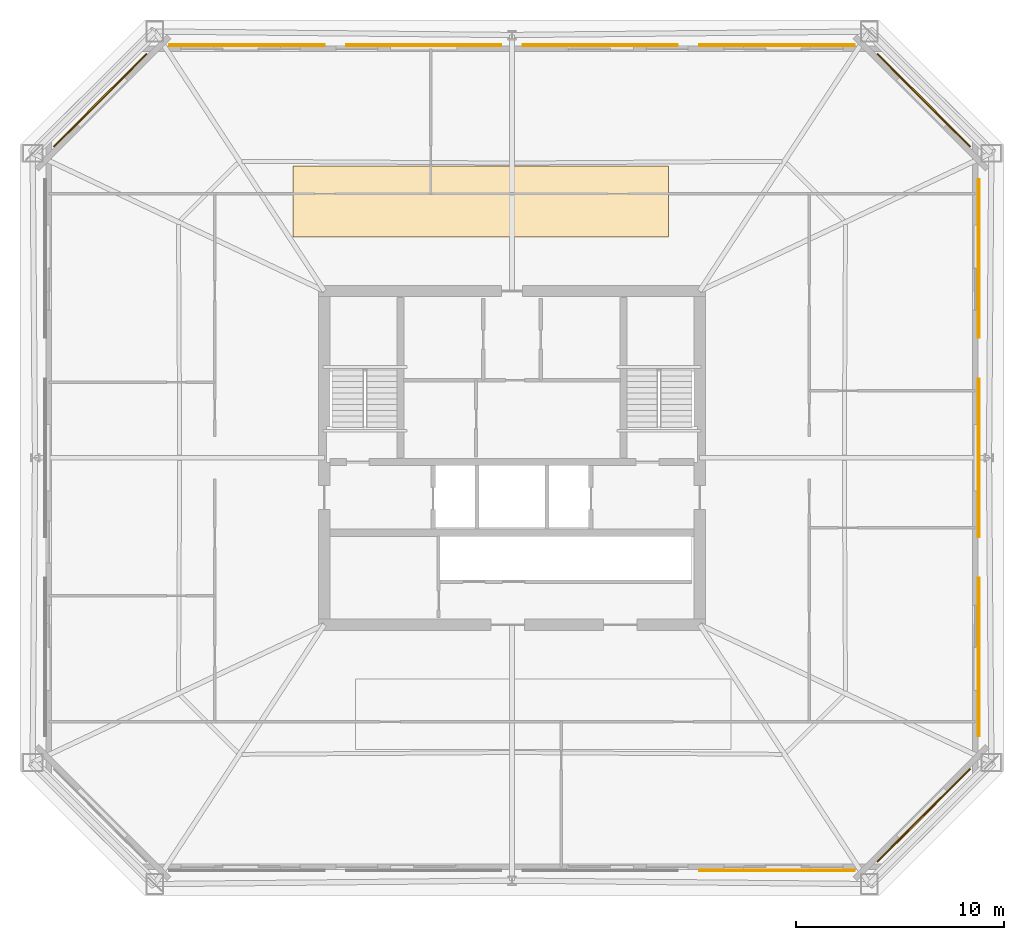
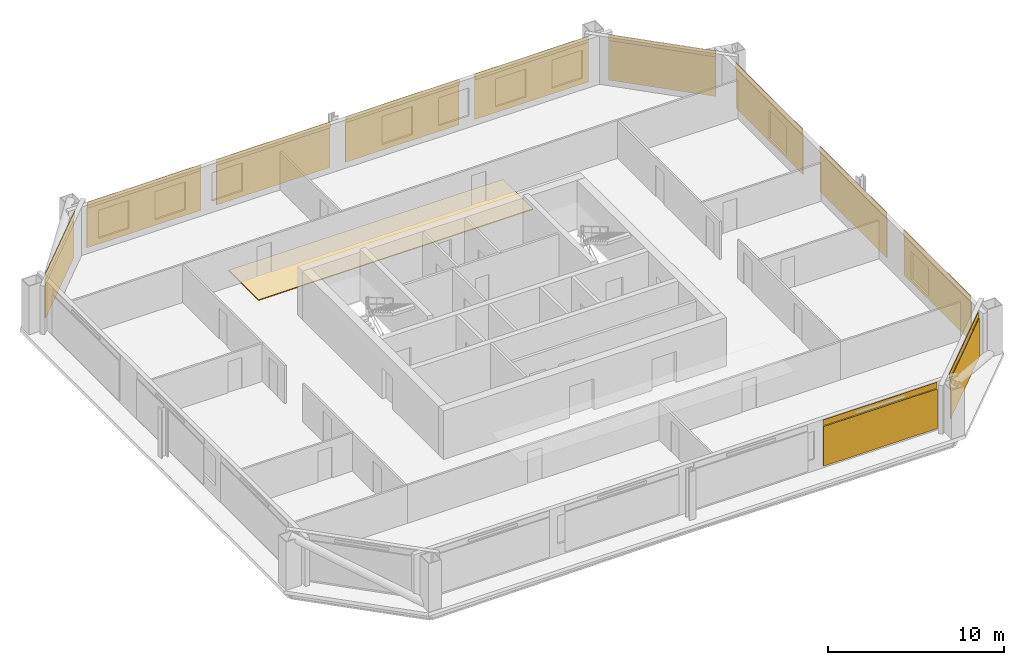
# One storey, part 6 of 6: 12 coverings, 11 shading devices.
"""IFC4 building model written with IfcOpenShell, lengths in metres."""

from ifc_helpers import new_model, si_unit, direction, frame, origin, origin_2d, place, context, subcontext, project, spatial, polyline, rectangle, outline, extrude, material, layer, layer_set, type_object, element, save


model = new_model("IFC4")

# Units and contexts
model_context = context("Model", 3, precision=1e-05, world=origin(), true_north=direction((0.0, 1.0)))
body_context = subcontext(model_context, "Body", "Model", "MODEL_VIEW")
ifc_project = project(units=[si_unit("LENGTHUNIT", "METRE"), si_unit("AREAUNIT", "SQUARE_METRE"), si_unit("VOLUMEUNIT", "CUBIC_METRE"), si_unit("PLANEANGLEUNIT", "RADIAN"), si_unit("MASSUNIT", "GRAM", prefix="KILO")], contexts=[model_context])

# Site, building, storey
site_placement = place(None, origin())
site = spatial("IfcSite", under=ifc_project, at=site_placement, CompositionType="ELEMENT")
building_placement = place(site_placement, origin())
building = spatial("IfcBuilding", under=site, at=building_placement, Name="Caelvoria Tower", CompositionType="ELEMENT")
storey_placement = place(building_placement, frame((0.0, 0.0, 120.39990234375)))
storey = spatial("IfcBuildingStorey", under=building, at=storey_placement, Name="L31", CompositionType="ELEMENT", Elevation=120.39990234375)

# Coverings
ifc_material_1 = material(Name="Perforated Architectural Bronze Cladding Screen", Category="bronze")
ifc_layer_1 = layer(ifc_material_1, 0.0400390625, Name="Perforated Architectural Bronze Cladding Screen")
ifc_layer_set_1 = layer_set([ifc_layer_1], Name="Perforated Bronze Louvre Cladding Band 40 - Perforated Architectural Bronze Cladding Screen")
covering_type_1 = type_object("IfcCoveringType", Name="Perforated Bronze Louvre Cladding Band 40", PredefinedType="CLADDING", material=ifc_layer_set_1)
covering_1_placement = place(storey_placement, frame((58.705078125, 12.22802734375, 2.940185546875), z_axis=(0.0, 0.0, 1.0), x_axis=(1.0, 0.0, 0.0)))
element("IfcCovering", 1, at=covering_1_placement, inside=storey, type_object=covering_type_1, Name="Perforated Bronze Screen Band L31-E0-03", PredefinedType="CLADDING", context=body_context, shape_type="SweptSolid", body=[
    extrude(rectangle(XDim=7.45361328125, YDim=0.0400390625, at=origin_2d()), origin(), (0.0, 0.0, 1.0), 0.39990234375),
])
covering_2_placement = place(storey_placement, frame((65.731689453125, 14.868408203125, 2.940185546875), z_axis=(0.0, 0.0, 1.0), x_axis=(0.707106781187, 0.707106781187, 0.0)))
element("IfcCovering", 2, at=covering_2_placement, inside=storey, type_object=covering_type_1, Name="Perforated Bronze Screen Band L31-E1-00", PredefinedType="CLADDING", context=body_context, shape_type="SweptSolid", body=[
    extrude(rectangle(XDim=6.305419921875, YDim=0.0400390625, at=origin_2d()), origin(), (0.0, 0.0, 1.0), 0.39990234375),
])
for number, where, z_axis, x_axis, name in (
    (3, (68.3720703125, 22.43994140625, 2.940185546875), (0.0, 0.0, 1.0), (0.0, 1.0, 0.0), "Perforated Bronze Screen Band L31-E2-00"),
    (4, (68.3720703125, 32.0, 2.940185546875), (0.0, 0.0, 1.0), (0.0, 1.0, 0.0), "Perforated Bronze Screen Band L31-E2-01"),
    (5, (68.3720703125, 41.56005859375, 2.940185546875), (0.0, 0.0, 1.0), (0.0, 1.0, 0.0), "Perforated Bronze Screen Band L31-E2-02"),
):
    element("IfcCovering", number, at=place(storey_placement, frame(where, z_axis=z_axis, x_axis=x_axis)), inside=storey, type_object=covering_type_1, Name=name, PredefinedType="CLADDING", context=body_context, shape_type="SweptSolid", body=[
        extrude(rectangle(XDim=7.60009765625, YDim=0.0400390625, at=origin_2d()), origin(), (0.0, 0.0, 1.0), 0.39990234375),
    ])
covering_3_placement = place(storey_placement, frame((65.731689453125, 49.131591796875, 2.940185546875), z_axis=(0.0, 0.0, 1.0), x_axis=(-0.707106781187, 0.707106781187, 0.0)))
element("IfcCovering", 6, at=covering_3_placement, inside=storey, type_object=covering_type_1, Name="Perforated Bronze Screen Band L31-E3-00", PredefinedType="CLADDING", context=body_context, shape_type="SweptSolid", body=[
    extrude(rectangle(XDim=6.305419921875, YDim=0.0400390625, at=origin_2d()), origin(), (0.0, 0.0, 1.0), 0.39990234375),
])
for number, where, z_axis, x_axis, name in (
    (7, (58.705078125, 51.77197265625, 2.940185546875), (0.0, 0.0, 1.0), (-1.0, 0.0, 0.0), "Perforated Bronze Screen Band L31-E4-00"),
    (8, (50.235107421875, 51.77197265625, 2.940185546875), (0.0, 0.0, 1.0), (-1.0, 0.0, 0.0), "Perforated Bronze Screen Band L31-E4-01"),
    (9, (41.764892578125, 51.77197265625, 2.940185546875), (0.0, 0.0, 1.0), (-1.0, 0.0, 0.0), "Perforated Bronze Screen Band L31-E4-02"),
    (10, (33.294921875, 51.77197265625, 2.940185546875), (0.0, 0.0, 1.0), (-1.0, 0.0, 0.0), "Perforated Bronze Screen Band L31-E4-03"),
):
    element("IfcCovering", number, at=place(storey_placement, frame(where, z_axis=z_axis, x_axis=x_axis)), inside=storey, type_object=covering_type_1, Name=name, PredefinedType="CLADDING", context=body_context, shape_type="SweptSolid", body=[
        extrude(rectangle(XDim=7.45361328125, YDim=0.0400390625, at=origin_2d()), origin(), (0.0, 0.0, 1.0), 0.39990234375),
    ])
covering_4_placement = place(storey_placement, frame((26.268310546875, 49.131591796875, 2.940185546875), z_axis=(0.0, 0.0, 1.0), x_axis=(-0.707106781187, -0.707106781187, 0.0)))
element("IfcCovering", 11, at=covering_4_placement, inside=storey, type_object=covering_type_1, Name="Perforated Bronze Screen Band L31-E5-00", PredefinedType="CLADDING", context=body_context, shape_type="SweptSolid", body=[
    extrude(rectangle(XDim=6.305419921875, YDim=0.0400390625, at=origin_2d()), origin(), (0.0, 0.0, 1.0), 0.39990234375),
])

# Shading devices
ifc_material_2 = material(Name="Perforated Architectural Bronze Alloy Panel", Category="bronze")
ifc_layer_2 = layer(ifc_material_2, 0.044921875, Name="Perforated Architectural Bronze Alloy Panel")
ifc_layer_set_2 = layer_set([ifc_layer_2], Name="Perforated Bronze Solar Screen Panel SCREEN - Perforated Architectural Bronze Alloy Panel")
shading_device_type = type_object("IfcShadingDeviceType", Name="Perforated Bronze Solar Screen Panel SCREEN", PredefinedType="USERDEFINED", material=ifc_layer_set_2)
shading_device_1_placement = place(storey_placement, frame((58.705078125, 12.18505859375, 0.16015625), z_axis=(0.0, 0.0, 1.0), x_axis=(1.0, 0.0, 0.0)))
element("IfcShadingDevice", 12, at=shading_device_1_placement, inside=storey, type_object=shading_device_type, Name="Perforated Bronze Solar Screen L31-E0-03", ObjectType="SCREEN", PredefinedType="USERDEFINED", context=body_context, shape_type="SweptSolid", body=[
    extrude(rectangle(XDim=7.45361328125, YDim=0.044921875, at=origin_2d()), origin(), (0.0, 0.0, 1.0), 2.75),
])
shading_device_2_placement = place(storey_placement, frame((65.76220703125, 14.837890625, 0.16015625), z_axis=(0.0, 0.0, 1.0), x_axis=(0.707106781187, 0.707106781187, 0.0)))
element("IfcShadingDevice", 13, at=shading_device_2_placement, inside=storey, type_object=shading_device_type, Name="Perforated Bronze Solar Screen L31-E1-00", ObjectType="SCREEN", PredefinedType="USERDEFINED", context=body_context, shape_type="SweptSolid", body=[
    extrude(rectangle(XDim=6.305419921875, YDim=0.044921875, at=origin_2d()), origin(), (0.0, 0.0, 1.0), 2.75),
])
for number, where, z_axis, x_axis, name in (
    (14, (68.4150390625, 22.43994140625, 0.16015625), (0.0, 0.0, 1.0), (0.0, 1.0, 0.0), "Perforated Bronze Solar Screen L31-E2-00"),
    (15, (68.4150390625, 32.0, 0.16015625), (0.0, 0.0, 1.0), (0.0, 1.0, 0.0), "Perforated Bronze Solar Screen L31-E2-01"),
    (16, (68.4150390625, 41.56005859375, 0.16015625), (0.0, 0.0, 1.0), (0.0, 1.0, 0.0), "Perforated Bronze Solar Screen L31-E2-02"),
):
    element("IfcShadingDevice", number, at=place(storey_placement, frame(where, z_axis=z_axis, x_axis=x_axis)), inside=storey, type_object=shading_device_type, Name=name, ObjectType="SCREEN", PredefinedType="USERDEFINED", context=body_context, shape_type="SweptSolid", body=[
        extrude(rectangle(XDim=7.60009765625, YDim=0.044921875, at=origin_2d()), origin(), (0.0, 0.0, 1.0), 2.75),
    ])
shading_device_3_placement = place(storey_placement, frame((65.76220703125, 49.162109375, 0.16015625), z_axis=(0.0, 0.0, 1.0), x_axis=(-0.707106781187, 0.707106781187, 0.0)))
element("IfcShadingDevice", 17, at=shading_device_3_placement, inside=storey, type_object=shading_device_type, Name="Perforated Bronze Solar Screen L31-E3-00", ObjectType="SCREEN", PredefinedType="USERDEFINED", context=body_context, shape_type="SweptSolid", body=[
    extrude(rectangle(XDim=6.305419921875, YDim=0.044921875, at=origin_2d()), origin(), (0.0, 0.0, 1.0), 2.75),
])
for number, where, z_axis, x_axis, name in (
    (18, (58.705078125, 51.81494140625, 0.16015625), (0.0, 0.0, 1.0), (-1.0, 0.0, 0.0), "Perforated Bronze Solar Screen L31-E4-00"),
    (19, (50.235107421875, 51.81494140625, 0.16015625), (0.0, 0.0, 1.0), (-1.0, 0.0, 0.0), "Perforated Bronze Solar Screen L31-E4-01"),
    (20, (41.764892578125, 51.81494140625, 0.16015625), (0.0, 0.0, 1.0), (-1.0, 0.0, 0.0), "Perforated Bronze Solar Screen L31-E4-02"),
    (21, (33.294921875, 51.81494140625, 0.16015625), (0.0, 0.0, 1.0), (-1.0, 0.0, 0.0), "Perforated Bronze Solar Screen L31-E4-03"),
):
    element("IfcShadingDevice", number, at=place(storey_placement, frame(where, z_axis=z_axis, x_axis=x_axis)), inside=storey, type_object=shading_device_type, Name=name, ObjectType="SCREEN", PredefinedType="USERDEFINED", context=body_context, shape_type="SweptSolid", body=[
        extrude(rectangle(XDim=7.45361328125, YDim=0.044921875, at=origin_2d()), origin(), (0.0, 0.0, 1.0), 2.75),
    ])
shading_device_4_placement = place(storey_placement, frame((26.23779296875, 49.162109375, 0.16015625), z_axis=(0.0, 0.0, 1.0), x_axis=(-0.707106781187, -0.707106781187, 0.0)))
element("IfcShadingDevice", 22, at=shading_device_4_placement, inside=storey, type_object=shading_device_type, Name="Perforated Bronze Solar Screen L31-E5-00", ObjectType="SCREEN", PredefinedType="USERDEFINED", context=body_context, shape_type="SweptSolid", body=[
    extrude(rectangle(XDim=6.305419921875, YDim=0.044921875, at=origin_2d()), origin(), (0.0, 0.0, 1.0), 2.75),
])

# Covering
ifc_material_3 = material(Name="Calcium-Sulphate Raised Floor Tile", Category="gypsum")
ifc_layer_3 = layer(ifc_material_3, 0.06005859375, Name="Calcium-Sulphate Raised Floor Tile")
ifc_layer_set_3 = layer_set([ifc_layer_3], Name="Raised Access Office Floor System 120 - Calcium-Sulphate Raised Floor Tile")
covering_type_2 = type_object("IfcCoveringType", Name="Raised Access Office Floor System 120", PredefinedType="FLOORING", material=ifc_layer_set_3)
covering_5_placement = place(storey_placement, origin())
element("IfcCovering", 23, at=covering_5_placement, inside=storey, type_object=covering_type_2, Name="Raised Access Flooring L31", PredefinedType="FLOORING", context=body_context, shape_type="SweptSolid", body=[
    extrude(outline(polyline([(35.5, 42.60009765625), (53.5, 42.60009765625), (53.5, 46.0), (35.5, 46.0), (35.5, 42.60009765625)])), origin(), (0.0, 0.0, 1.0), 0.06005859375),
])

save(model, "model.ifc")
